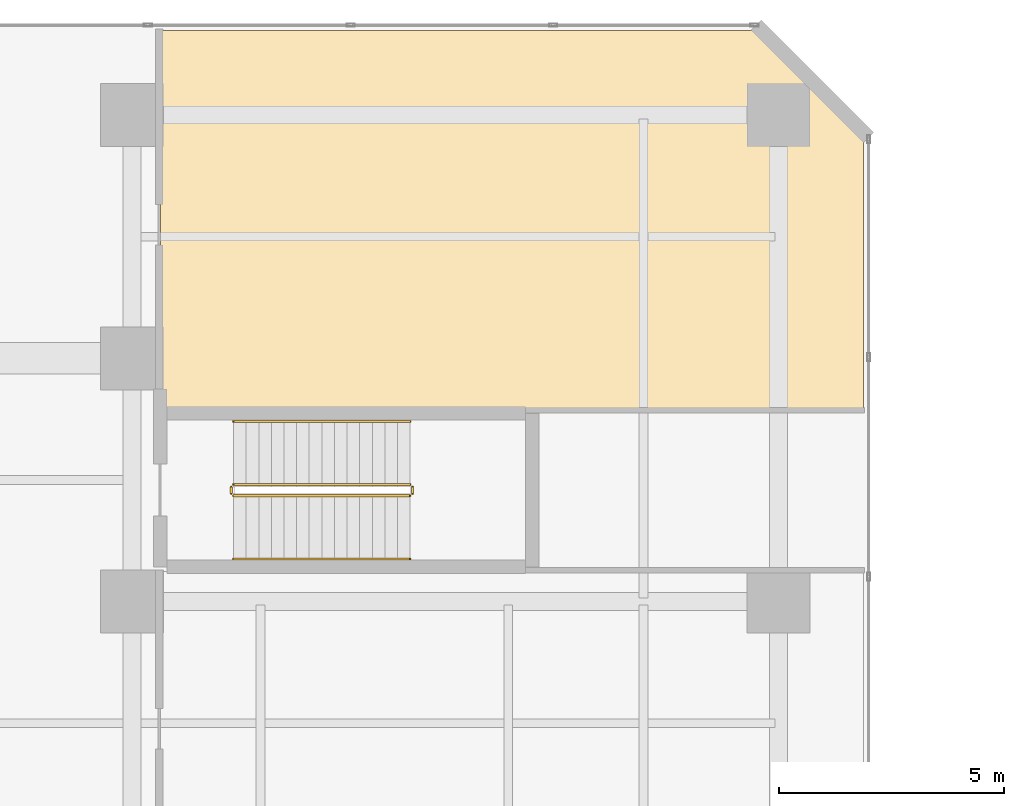
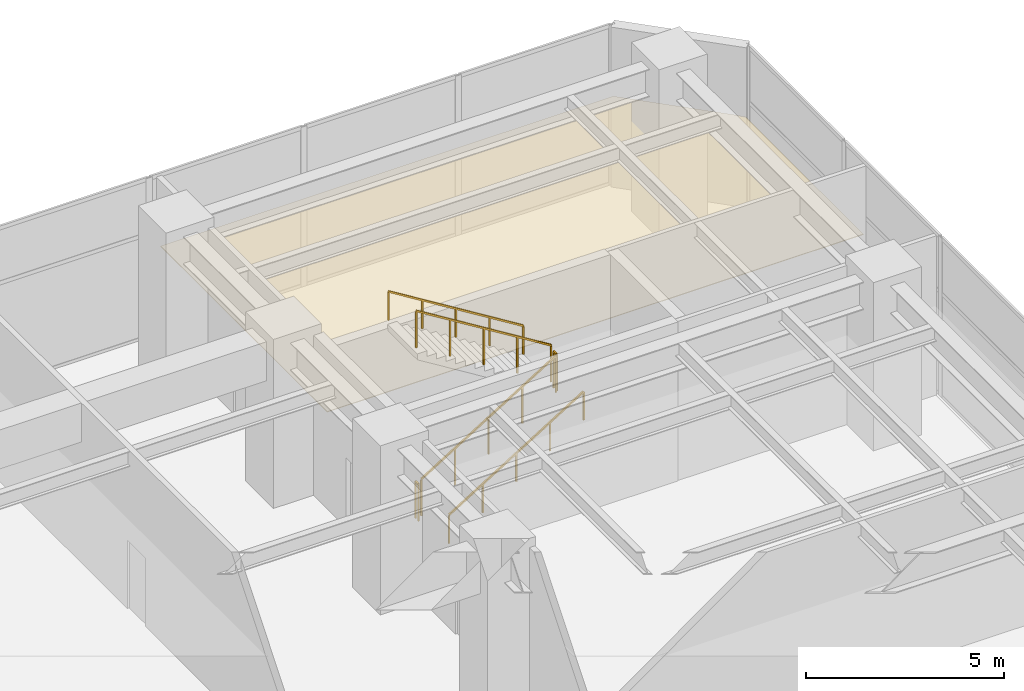
# One storey, part 29 of 29: 6 railings, 1 covering.
"""IFC4 building model written with IfcOpenShell, lengths in metres."""

from ifc_helpers import new_model, si_unit, direction, frame, origin, origin_2d, place, context, subcontext, project, spatial, polyline, rectangle, outline, extrude, material, layer, layer_set, type_object, element, save


model = new_model("IFC4")

# Units and contexts
model_context = context("Model", 3, precision=1e-05, world=origin(), true_north=direction((0.0, 1.0)))
body_context = subcontext(model_context, "Body", "Model", "MODEL_VIEW")
ifc_project = project(units=[si_unit("LENGTHUNIT", "METRE"), si_unit("AREAUNIT", "SQUARE_METRE"), si_unit("VOLUMEUNIT", "CUBIC_METRE"), si_unit("PLANEANGLEUNIT", "RADIAN"), si_unit("MASSUNIT", "GRAM", prefix="KILO")], contexts=[model_context])

# Site, building, storey
site_placement = place(None, origin())
site = spatial("IfcSite", under=ifc_project, at=site_placement, CompositionType="ELEMENT")
building_placement = place(site_placement, origin())
building = spatial("IfcBuilding", under=site, at=building_placement, Name="Mawjaban Terraces University", CompositionType="ELEMENT")
storey_placement = place(building_placement, frame((0.0, 0.0, 15.60009765625)))
storey = spatial("IfcBuildingStorey", under=building, at=storey_placement, Name="L03", CompositionType="ELEMENT", Elevation=15.60009765625)

# Covering
ifc_material_1 = material(Name="Acoustic mineral fibre ceiling tile", Category="masonry")
ifc_layer = layer(ifc_material_1, 0.02001953125)
ifc_layer_set = layer_set([ifc_layer], Name="Acoustic mineral fibre ceiling tile")
covering_type = type_object("IfcCoveringType", Name="AcousticMineralCeiling_20", PredefinedType="CEILING", material=ifc_layer_set)
covering_placement = place(storey_placement, frame((0.0, 0.0, 2.75)))
element("IfcCovering", 1, at=covering_placement, inside=storey, type_object=covering_type, Name="L03 Special Collections Study Room Acoustic Ceiling", PredefinedType="CEILING", context=body_context, shape_type="SweptSolid", body=[
    extrude(outline(polyline([(53.885009765625, 45.47998046875), (53.885009765625, 51.452880859375), (51.452880859375, 53.885009765625), (38.280029296875, 53.885009765625), (38.280029296875, 45.47998046875), (53.885009765625, 45.47998046875)])), origin(), (0.0, 0.0, 1.0), 0.02001953125),
])

# Railings
ifc_material_2 = material(Name="Brushed stainless steel 316", Category="steel")
railing_type_1 = type_object("IfcRailingType", Name="StairWallHandrail_900", PredefinedType="HANDRAIL", material=ifc_material_2)
railing_1_placement = place(storey_placement, frame((39.89990234375, 42.14990234375, 0.17333984375)))
element("IfcRailing", 2, at=railing_1_placement, inside=storey, type_object=railing_type_1, Name="L03 ST-4 stair handrail 1", PredefinedType="HANDRAIL", context=body_context, shape_type="SweptSolid", body=[
    extrude(rectangle(XDim=0.048095703125, YDim=0.048095703125, at=origin_2d()), frame((0.0, 0.0, 0.8759765625), z_axis=(0.850289973577, 0.0, 0.526314507528), x_axis=(0.0, 1.0, 0.0)), (0.0, 0.0, 1.0), 4.6103515625),
    extrude(rectangle(XDim=0.0419921875, YDim=0.0419921875, at=origin_2d()), origin(), (0.0, 0.0, 1.0), 0.851806640625),
    extrude(rectangle(XDim=0.0419921875, YDim=0.0419921875, at=origin_2d()), frame((0.97998046875, 0.0, 0.606689453125)), (0.0, 0.0, 1.0), 0.851806640625),
    extrude(rectangle(XDim=0.0419921875, YDim=0.0419921875, at=origin_2d()), frame((1.9599609375, 0.0, 1.21337890625)), (0.0, 0.0, 1.0), 0.851806640625),
    extrude(rectangle(XDim=0.0419921875, YDim=0.0419921875, at=origin_2d()), frame((2.940185546875, 0.0, 1.81982421875)), (0.0, 0.0, 1.0), 0.851806640625),
    extrude(rectangle(XDim=0.0419921875, YDim=0.0419921875, at=origin_2d()), frame((3.920166015625, 0.0, 2.426513671875)), (0.0, 0.0, 1.0), 0.851806640625),
])
railing_2_placement = place(storey_placement, frame((43.820068359375, 45.199951171875, 2.773193359375)))
element("IfcRailing", 3, at=railing_2_placement, inside=storey, type_object=railing_type_1, Name="L03 ST-4 stair handrail 2", PredefinedType="HANDRAIL", context=body_context, shape_type="SweptSolid", body=[
    extrude(rectangle(XDim=0.048095703125, YDim=0.048095703125, at=origin_2d()), frame((0.0, 0.0, 0.8759765625), z_axis=(-0.850266275192, 0.0, 0.526352791643), x_axis=(0.0, -1.0, 0.0)), (0.0, 0.0, 1.0), 4.610595703125),
    extrude(rectangle(XDim=0.0419921875, YDim=0.0419921875, at=origin_2d()), origin(), (0.0, 0.0, 1.0), 0.851806640625),
    extrude(rectangle(XDim=0.0419921875, YDim=0.0419921875, at=origin_2d()), frame((-0.97998046875, 0.0, 0.606689453125)), (0.0, 0.0, 1.0), 0.851806640625),
    extrude(rectangle(XDim=0.0419921875, YDim=0.0419921875, at=origin_2d()), frame((-1.9599609375, 0.0, 1.21337890625)), (0.0, 0.0, 1.0), 0.851806640625),
    extrude(rectangle(XDim=0.0419921875, YDim=0.0419921875, at=origin_2d()), frame((-2.940185546875, 0.0, 1.820068359375)), (0.0, 0.0, 1.0), 0.851806640625),
    extrude(rectangle(XDim=0.0419921875, YDim=0.0419921875, at=origin_2d()), frame((-3.920166015625, 0.0, 2.4267578125)), (0.0, 0.0, 1.0), 0.851806640625),
])
ifc_material_3 = material(Name="Galvanised painted steel S355", Category="steel")
railing_type_2 = type_object("IfcRailingType", Name="StairWellGuard_1150", PredefinedType="BALUSTRADE", material=ifc_material_3)
railing_3_placement = place(storey_placement, frame((39.89990234375, 43.550048828125, 0.17333984375)))
element("IfcRailing", 4, at=railing_3_placement, inside=storey, type_object=railing_type_2, Name="L03 ST-4 stair guard 1", PredefinedType="BALUSTRADE", context=body_context, shape_type="SweptSolid", body=[
    extrude(rectangle(XDim=0.048095703125, YDim=0.048095703125, at=origin_2d()), frame((0.0, 0.0, 1.1259765625), z_axis=(0.850289973577, 0.0, 0.526314507528), x_axis=(0.0, 1.0, 0.0)), (0.0, 0.0, 1.0), 4.6103515625),
    extrude(rectangle(XDim=0.0419921875, YDim=0.0419921875, at=origin_2d()), origin(), (0.0, 0.0, 1.0), 1.101806640625),
    extrude(rectangle(XDim=0.0419921875, YDim=0.0419921875, at=origin_2d()), frame((0.97998046875, 0.0, 0.606689453125)), (0.0, 0.0, 1.0), 1.101806640625),
    extrude(rectangle(XDim=0.0419921875, YDim=0.0419921875, at=origin_2d()), frame((1.9599609375, 0.0, 1.21337890625)), (0.0, 0.0, 1.0), 1.101806640625),
    extrude(rectangle(XDim=0.0419921875, YDim=0.0419921875, at=origin_2d()), frame((2.940185546875, 0.0, 1.81982421875)), (0.0, 0.0, 1.0), 1.101806640625),
    extrude(rectangle(XDim=0.0419921875, YDim=0.0419921875, at=origin_2d()), frame((3.920166015625, 0.0, 2.426513671875)), (0.0, 0.0, 1.0), 1.101806640625),
])
railing_4_placement = place(storey_placement, frame((43.8701171875, 43.60009765625, 2.599853515625)))
element("IfcRailing", 5, at=railing_4_placement, inside=storey, type_object=railing_type_2, Name="L03 ST-4 stair guard 2", PredefinedType="BALUSTRADE", context=body_context, shape_type="SweptSolid", body=[
    extrude(rectangle(XDim=0.048095703125, YDim=0.048095703125, at=origin_2d()), frame((0.0, 0.0, 1.1259765625), z_axis=(0.0, 1.0, 0.0), x_axis=(-1.0, 0.0, 0.0)), (0.0, 0.0, 1.0), 0.14990234375),
    extrude(rectangle(XDim=0.0419921875, YDim=0.0419921875, at=origin_2d()), origin(), (0.0, 0.0, 1.0), 1.101806640625),
    extrude(rectangle(XDim=0.0419921875, YDim=0.0419921875, at=origin_2d()), frame((0.0, 0.14990234375, 0.0)), (0.0, 0.0, 1.0), 1.101806640625),
])
railing_5_placement = place(storey_placement, frame((43.820068359375, 43.800048828125, 2.773193359375)))
element("IfcRailing", 6, at=railing_5_placement, inside=storey, type_object=railing_type_2, Name="L03 ST-4 stair guard 3", PredefinedType="BALUSTRADE", context=body_context, shape_type="SweptSolid", body=[
    extrude(rectangle(XDim=0.048095703125, YDim=0.048095703125, at=origin_2d()), frame((0.0, 0.0, 1.1259765625), z_axis=(-0.850266275192, 0.0, 0.526352791643), x_axis=(0.0, -1.0, 0.0)), (0.0, 0.0, 1.0), 4.610595703125),
    extrude(rectangle(XDim=0.0419921875, YDim=0.0419921875, at=origin_2d()), origin(), (0.0, 0.0, 1.0), 1.101806640625),
    extrude(rectangle(XDim=0.0419921875, YDim=0.0419921875, at=origin_2d()), frame((-0.97998046875, 0.0, 0.606689453125)), (0.0, 0.0, 1.0), 1.101806640625),
    extrude(rectangle(XDim=0.0419921875, YDim=0.0419921875, at=origin_2d()), frame((-1.9599609375, 0.0, 1.21337890625)), (0.0, 0.0, 1.0), 1.101806640625),
    extrude(rectangle(XDim=0.0419921875, YDim=0.0419921875, at=origin_2d()), frame((-2.940185546875, 0.0, 1.820068359375)), (0.0, 0.0, 1.0), 1.101806640625),
    extrude(rectangle(XDim=0.0419921875, YDim=0.0419921875, at=origin_2d()), frame((-3.920166015625, 0.0, 2.4267578125)), (0.0, 0.0, 1.0), 1.101806640625),
])
railing_6_placement = place(storey_placement, frame((39.85009765625, 43.60009765625, 0.0)))
element("IfcRailing", 7, at=railing_6_placement, inside=storey, type_object=railing_type_2, Name="L03 ST-4 stair guard 4", PredefinedType="BALUSTRADE", context=body_context, shape_type="SweptSolid", body=[
    extrude(rectangle(XDim=0.048095703125, YDim=0.048095703125, at=origin_2d()), frame((0.0, 0.0, 1.1259765625), z_axis=(0.0, 1.0, 0.0), x_axis=(-1.0, 0.0, 0.0)), (0.0, 0.0, 1.0), 0.14990234375),
    extrude(rectangle(XDim=0.0419921875, YDim=0.0419921875, at=origin_2d()), origin(), (0.0, 0.0, 1.0), 1.101806640625),
    extrude(rectangle(XDim=0.0419921875, YDim=0.0419921875, at=origin_2d()), frame((0.0, 0.14990234375, 0.0)), (0.0, 0.0, 1.0), 1.101806640625),
])

save(model, "model.ifc")
